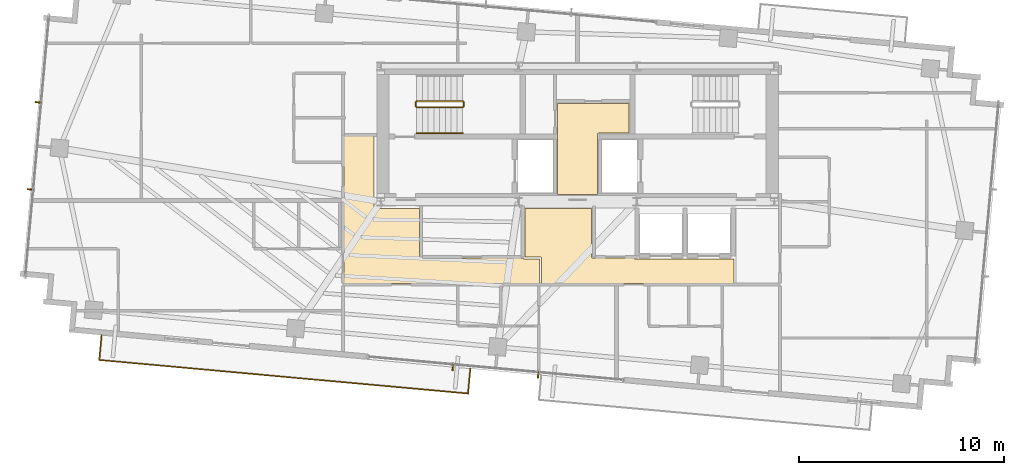
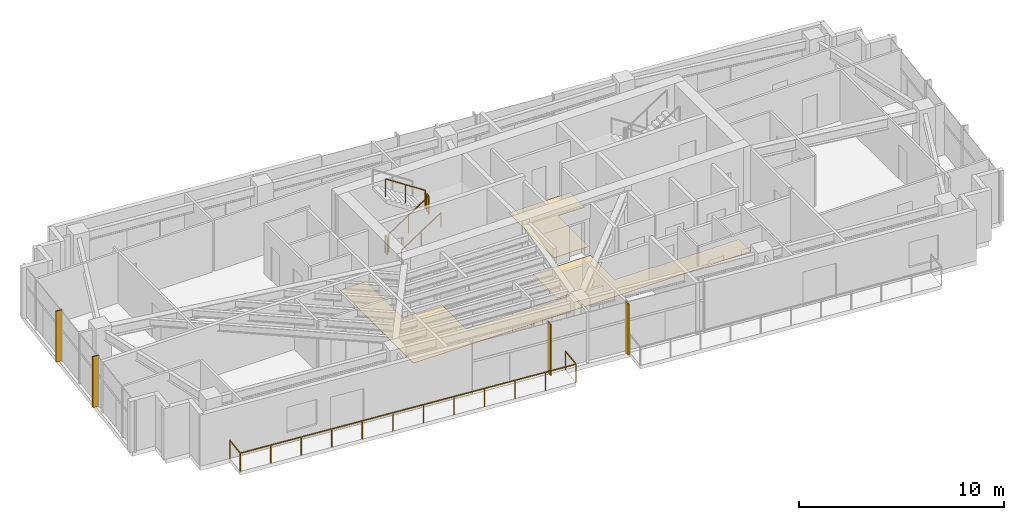
# One storey, part 20 of 22: 6 railings, 4 shading devices, 3 coverings.
"""IFC4 building model written with IfcOpenShell, lengths in metres."""

from ifc_helpers import new_model, si_unit, direction, frame, origin, origin_2d, place, context, subcontext, project, spatial, polyline, rectangle, outline, extrude, source, transform, mapped, material, layer, layer_set, type_object, type_shapes, element, save


model = new_model("IFC4")

# Units and contexts
model_context = context("Model", 3, precision=1e-05, world=origin(), true_north=direction((0.0, 1.0)))
body_context = subcontext(model_context, "Body", "Model", "MODEL_VIEW")
ifc_project = project(units=[si_unit("LENGTHUNIT", "METRE"), si_unit("AREAUNIT", "SQUARE_METRE"), si_unit("VOLUMEUNIT", "CUBIC_METRE"), si_unit("PLANEANGLEUNIT", "RADIAN"), si_unit("MASSUNIT", "GRAM", prefix="KILO")], contexts=[model_context])

# Site, building, storey
site_placement = place(None, origin())
site = spatial("IfcSite", under=ifc_project, at=site_placement, CompositionType="ELEMENT")
building_placement = place(site_placement, origin())
building = spatial("IfcBuilding", under=site, at=building_placement, Name="Astriad Promenade Condominiums", CompositionType="ELEMENT")
storey_placement = place(building_placement, frame((0.0, 0.0, 226.5)))
storey = spatial("IfcBuildingStorey", under=building, at=storey_placement, Name="L65", CompositionType="ELEMENT", Elevation=226.5)

# Coverings
ifc_material_1 = material(Name="Polished Lakefront Terrazzo Flooring")
ifc_layer = layer(ifc_material_1, 0.02001953125)
ifc_layer_set = layer_set([ifc_layer], Name="Polished Lakefront Terrazzo Flooring")
covering_type = type_object("IfcCoveringType", Name="COV-FLOR-TERRAZZO-20", PredefinedType="FLOORING", material=ifc_layer_set)
covering_1_placement = place(storey_placement, origin())
element("IfcCovering", 1, at=covering_1_placement, inside=storey, type_object=covering_type, Name="FLR-L65-CSL", PredefinedType="FLOORING", context=body_context, shape_type="SweptSolid", body=[
    extrude(outline(polyline([(36.97998046875, 20.699951171875), (36.97998046875, 17.739990234375), (35.02001953125, 17.739990234375), (35.02001953125, 22.179931640625), (38.5, 22.179931640625), (38.5, 20.739990234375), (37.02001953125, 20.739990234375), (37.01611328125, 20.73974609375), (37.01220703125, 20.7392578125), (37.00830078125, 20.73828125), (37.004638671875, 20.737060546875), (37.001220703125, 20.7353515625), (36.997802734375, 20.7333984375), (36.99462890625, 20.73095703125), (36.99169921875, 20.728271484375), (36.989013671875, 20.725341796875), (36.98681640625, 20.72216796875), (36.984619140625, 20.718994140625), (36.98291015625, 20.71533203125), (36.981689453125, 20.711669921875), (36.980712890625, 20.707763671875), (36.980224609375, 20.703857421875), (36.97998046875, 20.699951171875)])), origin(), (0.0, 0.0, 1.0), 0.02001953125),
])
covering_2_placement = place(storey_placement, origin())
element("IfcCovering", 2, at=covering_2_placement, inside=storey, type_object=covering_type, Name="FLR-L65-LLB", PredefinedType="FLOORING", context=body_context, shape_type="SweptSolid", body=[
    extrude(outline(polyline([(43.639892578125, 14.610107421875), (43.639892578125, 13.39990234375), (34.239990234375, 13.39990234375), (34.239990234375, 14.64990234375), (34.23974609375, 14.65380859375), (34.2392578125, 14.65771484375), (34.23828125, 14.66162109375), (34.237060546875, 14.665283203125), (34.2353515625, 14.6689453125), (34.2333984375, 14.672119140625), (34.23095703125, 14.67529296875), (34.228271484375, 14.67822265625), (34.225341796875, 14.680908203125), (34.22216796875, 14.683349609375), (34.218994140625, 14.685302734375), (34.21533203125, 14.68701171875), (34.211669921875, 14.688232421875), (34.207763671875, 14.689208984375), (34.203857421875, 14.689697265625), (34.199951171875, 14.68994140625), (33.43994140625, 14.68994140625), (33.43994140625, 17.06005859375), (36.679931640625, 17.06005859375), (36.679931640625, 14.699951171875), (36.68017578125, 14.696044921875), (36.680908203125, 14.692138671875), (36.681640625, 14.6884765625), (36.68310546875, 14.684814453125), (36.684814453125, 14.68115234375), (36.686767578125, 14.677734375), (36.689208984375, 14.674560546875), (36.691650390625, 14.671630859375), (36.694580078125, 14.669189453125), (36.69775390625, 14.666748046875), (36.701171875, 14.664794921875), (36.70458984375, 14.6630859375), (36.70849609375, 14.66162109375), (36.712158203125, 14.660888671875), (36.716064453125, 14.66015625), (36.719970703125, 14.659912109375), (38.760009765625, 14.659912109375), (38.760009765625, 14.64990234375), (38.76025390625, 14.64599609375), (38.7607421875, 14.64208984375), (38.76171875, 14.638427734375), (38.762939453125, 14.634765625), (38.7646484375, 14.631103515625), (38.7666015625, 14.627685546875), (38.76904296875, 14.62451171875), (38.771728515625, 14.62158203125), (38.774658203125, 14.619140625), (38.77783203125, 14.61669921875), (38.781005859375, 14.61474609375), (38.78466796875, 14.613037109375), (38.788330078125, 14.61181640625), (38.792236328125, 14.61083984375), (38.796142578125, 14.610107421875), (38.800048828125, 14.610107421875), (43.639892578125, 14.610107421875)])), origin(), (0.0, 0.0, 1.0), 0.02001953125),
])
covering_3_placement = place(storey_placement, origin())
element("IfcCovering", 3, at=covering_3_placement, inside=storey, type_object=covering_type, Name="FLR-L65-COR-1", PredefinedType="FLOORING", context=body_context, shape_type="SweptSolid", body=[
    extrude(outline(polyline([(24.590087890625, 13.39990234375), (24.590087890625, 20.610107421875), (26.06005859375, 20.610107421875), (26.06005859375, 17.10009765625), (26.060302734375, 17.09619140625), (26.060791015625, 17.09228515625), (26.061767578125, 17.08837890625), (26.06298828125, 17.084716796875), (26.064697265625, 17.0810546875), (26.066650390625, 17.077880859375), (26.069091796875, 17.07470703125), (26.07177734375, 17.07177734375), (26.07470703125, 17.069091796875), (26.077880859375, 17.066650390625), (26.0810546875, 17.064697265625), (26.084716796875, 17.06298828125), (26.08837890625, 17.061767578125), (26.09228515625, 17.060791015625), (26.09619140625, 17.060302734375), (26.10009765625, 17.06005859375), (28.280029296875, 17.06005859375), (28.280029296875, 14.699951171875), (28.2802734375, 14.696044921875), (28.28076171875, 14.692138671875), (28.28173828125, 14.6884765625), (28.282958984375, 14.684814453125), (28.28466796875, 14.68115234375), (28.28662109375, 14.677734375), (28.2890625, 14.674560546875), (28.291748046875, 14.671630859375), (28.294677734375, 14.669189453125), (28.2978515625, 14.666748046875), (28.301025390625, 14.664794921875), (28.3046875, 14.6630859375), (28.308349609375, 14.66162109375), (28.312255859375, 14.660888671875), (28.316162109375, 14.66015625), (28.320068359375, 14.659912109375), (33.35009765625, 14.659912109375), (33.35009765625, 14.64892578125), (33.35009765625, 14.64501953125), (33.350830078125, 14.64111328125), (33.35107421875, 14.64013671875), (33.351318359375, 14.639404296875), (33.351318359375, 14.638427734375), (33.352294921875, 14.634521484375), (33.353759765625, 14.630859375), (33.3544921875, 14.629150390625), (33.356201171875, 14.6259765625), (33.356689453125, 14.625), (33.35888671875, 14.62158203125), (33.3603515625, 14.61962890625), (33.36083984375, 14.618896484375), (33.361083984375, 14.61865234375), (33.361328125, 14.618408203125), (33.361572265625, 14.617919921875), (33.36328125, 14.615966796875), (33.365966796875, 14.61328125), (33.367919921875, 14.611572265625), (33.368408203125, 14.611328125), (33.36865234375, 14.611083984375), (33.368896484375, 14.61083984375), (33.36962890625, 14.6103515625), (33.37158203125, 14.60888671875), (33.375, 14.606689453125), (33.3759765625, 14.606201171875), (33.379150390625, 14.6044921875), (33.3798828125, 14.604248046875), (33.380859375, 14.603759765625), (33.384521484375, 14.602294921875), (33.388427734375, 14.601318359375), (33.389404296875, 14.601318359375), (33.39013671875, 14.60107421875), (33.39111328125, 14.600830078125), (33.39501953125, 14.60009765625), (33.39892578125, 14.60009765625), (34.14990234375, 14.60009765625), (34.14990234375, 13.39990234375), (24.590087890625, 13.39990234375)])), origin(), (0.0, 0.0, 1.0), 0.02001953125),
])

# Shading devices
ifc_material_2 = material(Name="Anodised aluminium 6063-T6 Black Fin", Category="aluminium")
shading_device_type = type_object("IfcShadingDeviceType", Name="FIN-BLACK-260", PredefinedType="USERDEFINED", material=ifc_material_2)
shared_shape_1 = source(origin(), body_context, "Body", "SweptSolid", [
    extrude(rectangle(XDim=0.06494140625, YDim=0.320068359375, at=origin_2d()), origin(), (0.0, 0.0, 1.0), 3.0400390625),
])
type_shapes(shading_device_type, [shared_shape_1])
for number, where, z_axis, x_axis, name in (
    (4, (9.293212890625, 17.9970703125, 0.0), (0.0, 0.0, 1.0), (0.090632580198, 0.995884398616, 0.0), "CW-L65-W-FIN-01"),
    (5, (9.6796875, 22.246337890625, 0.0), (0.0, 0.0, 1.0), (0.090632580198, 0.995884398616, 0.0), "CW-L65-W-FIN-02"),
    (6, (34.073974609375, 8.937255859375, 0.0), (0.0, 0.0, 1.0), (-0.995884398616, 0.090632580198, 0.0), "CW-L65-S-FIN-01"),
    (7, (29.9111328125, 9.316162109375, 0.0), (0.0, 0.0, 1.0), (-0.995884398616, 0.090632580198, 0.0), "CW-L65-S-FIN-02"),
):
    element("IfcShadingDevice", number, at=place(storey_placement, frame(where, z_axis=z_axis, x_axis=x_axis)), inside=storey, type_object=shading_device_type, Name=name, ObjectType="FIN", PredefinedType="USERDEFINED", context=body_context, shape_type="MappedRepresentation", body=[
        mapped(shared_shape_1, transform((0.0, 0.0, 0.0), scale=1.0)),
    ])

# Railings
ifc_material_3 = material(Name="Laminated Glass and Stainless Steel Balustrade", Category="steel")
railing_type_1 = type_object("IfcRailingType", Name="GRD-BALC-1120", PredefinedType="BALUSTRADE", material=ifc_material_3)
shared_shape_2 = source(origin(), body_context, "Body", "SweptSolid", [
    extrude(rectangle(XDim=0.048095703125, YDim=0.048095703125, at=origin_2d()), frame((0.0, 0.0, 1.09619140625), z_axis=(-0.090643994769, -0.995883359743, 0.0), x_axis=(0.995883359743, -0.090643994769, 0.0)), (0.0, 0.0, 1.0), 1.22021484375),
    extrude(rectangle(XDim=0.048095703125, YDim=0.048095703125, at=origin_2d()), frame((-0.110595703125, -1.215087890625, 1.09619140625), z_axis=(0.995884455486, -0.090631955301, 0.0), x_axis=(0.090631955301, 0.995884455486, 0.0)), (0.0, 0.0, 1.0), 18.0751953125),
    extrude(rectangle(XDim=0.048095703125, YDim=0.048095703125, at=origin_2d()), frame((17.89013671875, -2.853271484375, 1.09619140625), z_axis=(0.090445536319, 0.995901403232, 0.0), x_axis=(-0.995901403232, 0.090445536319, 0.0)), (0.0, 0.0, 1.0), 1.219970703125),
    extrude(rectangle(XDim=0.0419921875, YDim=0.0419921875, at=origin_2d()), origin(), (0.0, 0.0, 1.0), 1.072021484375),
    extrude(rectangle(XDim=0.0419921875, YDim=0.0419921875, at=origin_2d()), frame((-0.110595703125, -1.215087890625, 0.0)), (0.0, 0.0, 1.0), 1.072021484375),
    extrude(rectangle(XDim=0.0419921875, YDim=0.0419921875, at=origin_2d()), frame((1.52587890625, -1.364013671875, 0.0)), (0.0, 0.0, 1.0), 1.072021484375),
    extrude(rectangle(XDim=0.0419921875, YDim=0.0419921875, at=origin_2d()), frame((3.162353515625, -1.512939453125, 0.0)), (0.0, 0.0, 1.0), 1.072021484375),
    extrude(rectangle(XDim=0.0419921875, YDim=0.0419921875, at=origin_2d()), frame((4.798583984375, -1.661865234375, 0.0)), (0.0, 0.0, 1.0), 1.072021484375),
    extrude(rectangle(XDim=0.0419921875, YDim=0.0419921875, at=origin_2d()), frame((6.43505859375, -1.810791015625, 0.0)), (0.0, 0.0, 1.0), 1.072021484375),
    extrude(rectangle(XDim=0.0419921875, YDim=0.0419921875, at=origin_2d()), frame((8.071533203125, -1.959716796875, 0.0)), (0.0, 0.0, 1.0), 1.072021484375),
    extrude(rectangle(XDim=0.0419921875, YDim=0.0419921875, at=origin_2d()), frame((9.7080078125, -2.108642578125, 0.0)), (0.0, 0.0, 1.0), 1.072021484375),
    extrude(rectangle(XDim=0.0419921875, YDim=0.0419921875, at=origin_2d()), frame((11.344482421875, -2.257568359375, 0.0)), (0.0, 0.0, 1.0), 1.072021484375),
    extrude(rectangle(XDim=0.0419921875, YDim=0.0419921875, at=origin_2d()), frame((12.98095703125, -2.406494140625, 0.0)), (0.0, 0.0, 1.0), 1.072021484375),
    extrude(rectangle(XDim=0.0419921875, YDim=0.0419921875, at=origin_2d()), frame((14.6171875, -2.555419921875, 0.0)), (0.0, 0.0, 1.0), 1.072021484375),
    extrude(rectangle(XDim=0.0419921875, YDim=0.0419921875, at=origin_2d()), frame((16.253662109375, -2.704345703125, 0.0)), (0.0, 0.0, 1.0), 1.072021484375),
    extrude(rectangle(XDim=0.0419921875, YDim=0.0419921875, at=origin_2d()), frame((17.89013671875, -2.853271484375, 0.0)), (0.0, 0.0, 1.0), 1.072021484375),
    extrude(rectangle(XDim=0.0419921875, YDim=0.0419921875, at=origin_2d()), frame((18.00048828125, -1.63818359375, 0.0)), (0.0, 0.0, 1.0), 1.072021484375),
])
type_shapes(railing_type_1, [shared_shape_2])
railing_1_placement = place(storey_placement, frame((12.765869140625, 10.886474609375, 0.0)))
element("IfcRailing", 8, at=railing_1_placement, inside=storey, type_object=railing_type_1, Name="GRD-BALC-L65-SW", PredefinedType="BALUSTRADE", context=body_context, shape_type="MappedRepresentation", body=[
    mapped(shared_shape_2, transform((0.0, 0.0, 0.0), scale=1.0)),
])
ifc_material_4 = material(Name="Painted Galvanised Steel Guardrail", Category="steel")
railing_type_2 = type_object("IfcRailingType", Name="GRD-STAIR-1100", PredefinedType="GUARDRAIL", material=ifc_material_4)
shared_shape_3 = source(origin(), body_context, "Body", "SweptSolid", [
    extrude(rectangle(XDim=0.048095703125, YDim=0.048095703125, at=origin_2d()), frame((0.0, 0.0, 1.076171875), z_axis=(0.0, 1.0, 0.0), x_axis=(-1.0, 0.0, 0.0)), (0.0, 0.0, 1.0), 0.199951171875),
    extrude(rectangle(XDim=0.0419921875, YDim=0.0419921875, at=origin_2d()), origin(), (0.0, 0.0, 1.0), 1.052001953125),
    extrude(rectangle(XDim=0.0419921875, YDim=0.0419921875, at=origin_2d()), frame((0.0, 0.199951171875, 0.0)), (0.0, 0.0, 1.0), 1.052001953125),
])
for number, where, name in (
    (9, (30.43994140625, 22.050048828125, 1.64990234375), "L65 ST-1 stair guard 2"),
    (10, (28.10009765625, 22.050048828125, 0.0), "L65 ST-1 stair guard 4"),
):
    element("IfcRailing", number, at=place(storey_placement, frame(where)), inside=storey, type_object=railing_type_2, Name=name, PredefinedType="GUARDRAIL", context=body_context, shape_type="MappedRepresentation", body=[
        mapped(shared_shape_3, transform((0.0, 0.0, 0.0), scale=1.0)),
    ])
shared_shape_4 = source(origin(), body_context, "Body", "SweptSolid", [
    extrude(rectangle(XDim=0.048095703125, YDim=0.048095703125, at=origin_2d()), frame((0.0, 0.0, 1.076171875), z_axis=(0.836636935527, 0.0, 0.547757827979), x_axis=(0.0, 1.0, 0.0)), (0.0, 0.0, 1.0), 2.677490234375),
    extrude(rectangle(XDim=0.0419921875, YDim=0.0419921875, at=origin_2d()), origin(), (0.0, 0.0, 1.0), 1.052001953125),
    extrude(rectangle(XDim=0.0419921875, YDim=0.0419921875, at=origin_2d()), frame((1.1201171875, 0.0, 0.7333984375)), (0.0, 0.0, 1.0), 1.052001953125),
    extrude(rectangle(XDim=0.0419921875, YDim=0.0419921875, at=origin_2d()), frame((2.239990234375, 0.0, 1.466552734375)), (0.0, 0.0, 1.0), 1.052001953125),
])
railing_2_placement = place(storey_placement, frame((28.14990234375, 22.0, 0.183349609375)))
element("IfcRailing", 11, at=railing_2_placement, inside=storey, type_object=railing_type_2, Name="L65 ST-1 stair guard 1", PredefinedType="GUARDRAIL", context=body_context, shape_type="MappedRepresentation", body=[
    mapped(shared_shape_4, transform((0.0, 0.0, 0.0), scale=1.0)),
])
ifc_material_5 = material(Name="Brushed Stainless Steel Handrail", Category="steel")
railing_type_3 = type_object("IfcRailingType", Name="HRL-STAIR-920", PredefinedType="HANDRAIL", material=ifc_material_5)
shared_shape_5 = source(origin(), body_context, "Body", "SweptSolid", [
    extrude(rectangle(XDim=0.048095703125, YDim=0.048095703125, at=origin_2d()), frame((0.0, 0.0, 0.8759765625), z_axis=(0.836636935527, 0.0, 0.547757827979), x_axis=(0.0, 1.0, 0.0)), (0.0, 0.0, 1.0), 2.677490234375),
    extrude(rectangle(XDim=0.0419921875, YDim=0.0419921875, at=origin_2d()), origin(), (0.0, 0.0, 1.0), 0.851806640625),
    extrude(rectangle(XDim=0.0419921875, YDim=0.0419921875, at=origin_2d()), frame((1.1201171875, 0.0, 0.7333984375)), (0.0, 0.0, 1.0), 0.851806640625),
    extrude(rectangle(XDim=0.0419921875, YDim=0.0419921875, at=origin_2d()), frame((2.239990234375, 0.0, 1.466552734375)), (0.0, 0.0, 1.0), 0.851806640625),
])
type_shapes(railing_type_3, [shared_shape_5])
railing_3_placement = place(storey_placement, frame((28.14990234375, 20.75, 0.183349609375)))
element("IfcRailing", 12, at=railing_3_placement, inside=storey, type_object=railing_type_3, Name="L65 ST-1 stair handrail 1", PredefinedType="HANDRAIL", context=body_context, shape_type="MappedRepresentation", body=[
    mapped(shared_shape_5, transform((0.0, 0.0, 0.0), scale=1.0)),
])
shared_shape_6 = source(origin(), body_context, "Body", "SweptSolid", [
    extrude(rectangle(XDim=0.048095703125, YDim=0.048095703125, at=origin_2d()), frame((0.0, 0.0, 1.076171875), z_axis=(-0.836595146698, 0.0, 0.547821650285), x_axis=(0.0, -1.0, 0.0)), (0.0, 0.0, 1.0), 2.677490234375),
    extrude(rectangle(XDim=0.0419921875, YDim=0.0419921875, at=origin_2d()), origin(), (0.0, 0.0, 1.0), 1.052001953125),
    extrude(rectangle(XDim=0.0419921875, YDim=0.0419921875, at=origin_2d()), frame((-1.1201171875, 0.0, 0.7333984375)), (0.0, 0.0, 1.0), 1.052001953125),
    extrude(rectangle(XDim=0.0419921875, YDim=0.0419921875, at=origin_2d()), frame((-2.239990234375, 0.0, 1.466796875)), (0.0, 0.0, 1.0), 1.052001953125),
])
type_shapes(railing_type_2, [shared_shape_3, shared_shape_4, shared_shape_6])
railing_4_placement = place(storey_placement, frame((30.389892578125, 22.300048828125, 1.833251953125)))
element("IfcRailing", 13, at=railing_4_placement, inside=storey, type_object=railing_type_2, Name="L65 ST-1 stair guard 3", PredefinedType="GUARDRAIL", context=body_context, shape_type="MappedRepresentation", body=[
    mapped(shared_shape_6, transform((0.0, 0.0, 0.0), scale=1.0)),
])

save(model, "model.ifc")
